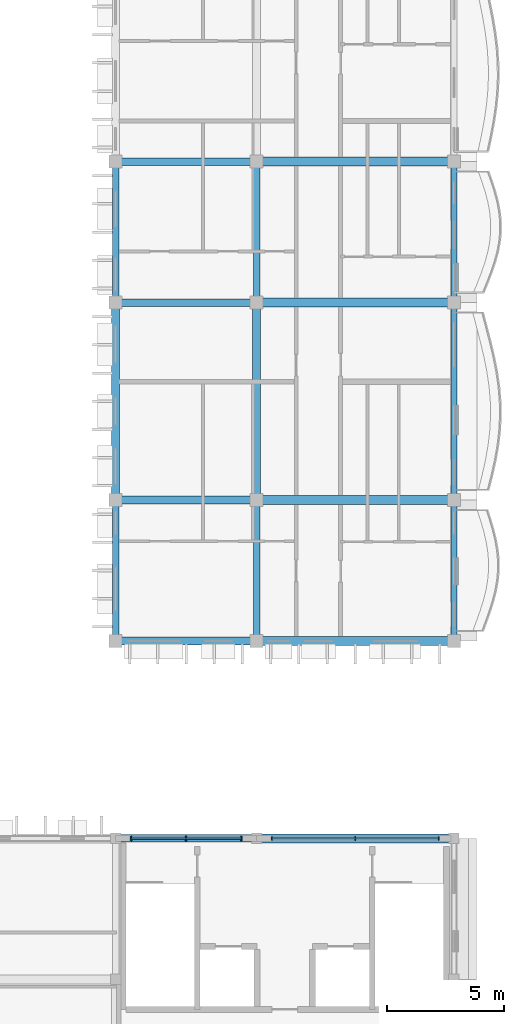
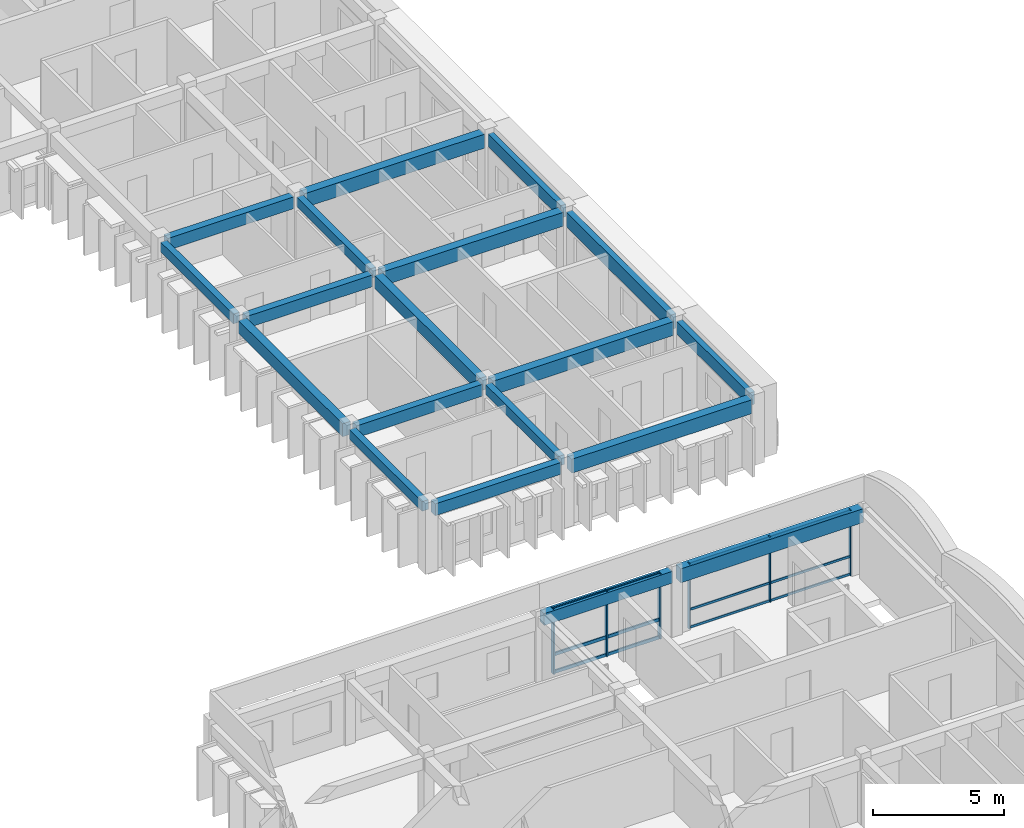
# One storey, part 7 of 59: 19 beams, 12 members, 2 elements without a shape of their own.
"""IFC4 building model written with IfcOpenShell, lengths in metres."""

from ifc_helpers import new_model, si_unit, direction, frame, origin, origin_2d, place, context, subcontext, project, spatial, rectangle, extrude, material, material_profile, profile_set, type_object, element, aggregate, save


model = new_model("IFC4")

# Units and contexts
model_context = context("Model", 3, precision=1e-05, world=origin(), true_north=direction((0.0, 1.0)))
body_context = subcontext(model_context, "Body", "Model", "MODEL_VIEW")
ifc_project = project(units=[si_unit("LENGTHUNIT", "METRE"), si_unit("AREAUNIT", "SQUARE_METRE"), si_unit("VOLUMEUNIT", "CUBIC_METRE"), si_unit("PLANEANGLEUNIT", "RADIAN"), si_unit("MASSUNIT", "GRAM", prefix="KILO"), si_unit("THERMODYNAMICTEMPERATUREUNIT", "KELVIN")], contexts=[model_context])

# Site, building, storey
site_placement = place(None, origin())
site = spatial("IfcSite", under=ifc_project, at=site_placement, CompositionType="ELEMENT")
building_placement = place(site_placement, origin())
building = spatial("IfcBuilding", under=site, at=building_placement, Name="Thalorik Housing Commons", CompositionType="ELEMENT")
storey_placement = place(building_placement, frame((0.0, 0.0, 27.89990234375)))
storey = spatial("IfcBuildingStorey", under=building, at=storey_placement, Name="L08", CompositionType="ELEMENT", Elevation=27.89990234375)

# Curtain wall, members
ifc_material_1 = material(Name="Anodised aluminium and solar-control low-E glass", Category="aluminium")
curtain_wall_type = type_object("IfcCurtainWallType", Name="ARC-CW-CORE", PredefinedType="USERDEFINED", material=ifc_material_1)
curtain_wall_1_placement = place(storey_placement, origin())
curtain_wall_1 = element("IfcCurtainWall", 1, at=curtain_wall_1_placement, inside=storey, type_object=curtain_wall_type, Name="L08 Curtain Wall CW-CORE-L08-D-207", ObjectType="CURTAIN WALL", PredefinedType="USERDEFINED")
ifc_material_2 = material(Name="Anodised aluminium 6063-T6", Category="aluminium")
ifc_material_profile_1 = material_profile(ifc_material_2, rectangle(XDim=0.054931640625, YDim=0.139892578125, at=origin_2d()), Name="ALU MUL 55x140", Category="aluminium")
ifc_profile_set_1 = profile_set([ifc_material_profile_1], Name="Anodised aluminium 6063-T6")
member_type_1 = type_object("IfcMemberType", Name="ARC-CW-MUL-55x140", PredefinedType="MULLION", material=ifc_profile_set_1)
member_1_placement = place(storey_placement, frame((166.14990234375, 72.0, 0.0), z_axis=(0.0, 0.0, 1.0), x_axis=(-1.0, 0.0, 0.0)))
member_1 = element("IfcMember", 2, at=member_1_placement, type_object=member_type_1, Name="CW-CORE-L08-D-207 Mullion 1", PredefinedType="MULLION", context=body_context, shape_type="SweptSolid", body=[
    extrude(rectangle(XDim=0.054931640625, YDim=0.139892578125, at=origin_2d()), origin(), (0.0, 0.0, 1.0), 3.0400390625),
])
member_2_placement = place(storey_placement, frame((162.60009765625, 72.0, 0.0), z_axis=(0.0, 0.0, 1.0), x_axis=(-1.0, 0.0, 0.0)))
member_2 = element("IfcMember", 3, at=member_2_placement, type_object=member_type_1, Name="CW-CORE-L08-D-207 Mullion 2", PredefinedType="MULLION", context=body_context, shape_type="SweptSolid", body=[
    extrude(rectangle(XDim=0.054931640625, YDim=0.139892578125, at=origin_2d()), origin(), (0.0, 0.0, 1.0), 3.0400390625),
])
member_3_placement = place(storey_placement, frame((159.050048828125, 72.0, 0.0), z_axis=(0.0, 0.0, 1.0), x_axis=(-1.0, 0.0, 0.0)))
member_3 = element("IfcMember", 4, at=member_3_placement, type_object=member_type_1, Name="CW-CORE-L08-D-207 Mullion 3", PredefinedType="MULLION", context=body_context, shape_type="SweptSolid", body=[
    extrude(rectangle(XDim=0.054931640625, YDim=0.139892578125, at=origin_2d()), origin(), (0.0, 0.0, 1.0), 3.0400390625),
])

curtain_wall_2_placement = place(storey_placement, origin())
curtain_wall_2 = element("IfcCurtainWall", 5, at=curtain_wall_2_placement, inside=storey, type_object=curtain_wall_type, Name="L08 Curtain Wall CW-CORE-L08-D-208", ObjectType="CURTAIN WALL", PredefinedType="USERDEFINED")
ifc_material_profile_2 = material_profile(ifc_material_2, rectangle(XDim=0.06494140625, YDim=0.179931640625, at=origin_2d()), Name="ALU MUL 65x180", Category="aluminium")
ifc_profile_set_2 = profile_set([ifc_material_profile_2], Name="Anodised aluminium 6063-T6")
member_type_2 = type_object("IfcMemberType", Name="ARC-CW-MUL-65x180", PredefinedType="MULLION", material=ifc_profile_set_2)
member_4_placement = place(storey_placement, frame((157.75, 72.0, 0.0), z_axis=(0.0, 0.0, 1.0), x_axis=(-1.0, 0.0, 0.0)))
member_4 = element("IfcMember", 6, at=member_4_placement, type_object=member_type_2, Name="CW-CORE-L08-D-208 Mullion 1", PredefinedType="MULLION", context=body_context, shape_type="SweptSolid", body=[
    extrude(rectangle(XDim=0.06494140625, YDim=0.179931640625, at=origin_2d()), origin(), (0.0, 0.0, 1.0), 3.0400390625),
])
member_5_placement = place(storey_placement, frame((155.39990234375, 72.0, 0.0), z_axis=(0.0, 0.0, 1.0), x_axis=(-1.0, 0.0, 0.0)))
member_5 = element("IfcMember", 7, at=member_5_placement, type_object=member_type_2, Name="CW-CORE-L08-D-208 Mullion 2", PredefinedType="MULLION", context=body_context, shape_type="SweptSolid", body=[
    extrude(rectangle(XDim=0.06494140625, YDim=0.179931640625, at=origin_2d()), origin(), (0.0, 0.0, 1.0), 3.0400390625),
])
member_6_placement = place(storey_placement, frame((153.050048828125, 72.0, 0.0), z_axis=(0.0, 0.0, 1.0), x_axis=(-1.0, 0.0, 0.0)))
member_6 = element("IfcMember", 8, at=member_6_placement, type_object=member_type_2, Name="CW-CORE-L08-D-208 Mullion 3", PredefinedType="MULLION", context=body_context, shape_type="SweptSolid", body=[
    extrude(rectangle(XDim=0.06494140625, YDim=0.179931640625, at=origin_2d()), origin(), (0.0, 0.0, 1.0), 3.0400390625),
])

# Member
ifc_material_profile_3 = material_profile(ifc_material_2, rectangle(XDim=0.054931640625, YDim=0.10498046875, at=origin_2d()), Name="ALU TRN 55x105", Category="aluminium")
ifc_profile_set_3 = profile_set([ifc_material_profile_3], Name="Anodised aluminium 6063-T6")
member_type_3 = type_object("IfcMemberType", Name="ARC-CW-TRN-55x105", PredefinedType="USERDEFINED", material=ifc_profile_set_3)
member_7_placement = place(storey_placement, frame((166.14990234375, 72.0, 0.05517578125), z_axis=(-1.0, 0.0, 0.0), x_axis=(0.0, -1.0, 0.0)))
member_7 = element("IfcMember", 9, at=member_7_placement, type_object=member_type_3, Name="CW-CORE-L08-D-207 Transom 1", ObjectType="TRANSOM", PredefinedType="USERDEFINED", context=body_context, shape_type="SweptSolid", body=[
    extrude(rectangle(XDim=0.054931640625, YDim=0.10498046875, at=origin_2d()), origin(), (0.0, 0.0, 1.0), 7.099853515625),
])

member_8_placement = place(storey_placement, frame((166.14990234375, 72.0, 0.880126953125), z_axis=(-1.0, 0.0, 0.0), x_axis=(0.0, -1.0, 0.0)))
member_8 = element("IfcMember", 10, at=member_8_placement, type_object=member_type_3, Name="CW-CORE-L08-D-207 Transom 2", ObjectType="TRANSOM", PredefinedType="USERDEFINED", context=body_context, shape_type="SweptSolid", body=[
    extrude(rectangle(XDim=0.054931640625, YDim=0.10498046875, at=origin_2d()), origin(), (0.0, 0.0, 1.0), 7.099853515625),
])

member_9_placement = place(storey_placement, frame((166.14990234375, 72.0, 2.985107421875), z_axis=(-1.0, 0.0, 0.0), x_axis=(0.0, -1.0, 0.0)))
member_9 = element("IfcMember", 11, at=member_9_placement, type_object=member_type_3, Name="CW-CORE-L08-D-207 Transom 3", ObjectType="TRANSOM", PredefinedType="USERDEFINED", context=body_context, shape_type="SweptSolid", body=[
    extrude(rectangle(XDim=0.054931640625, YDim=0.10498046875, at=origin_2d()), origin(), (0.0, 0.0, 1.0), 7.099853515625),
])

aggregate(curtain_wall_1, [member_1, member_2, member_3, member_7, member_8, member_9])

ifc_material_profile_4 = material_profile(ifc_material_2, rectangle(XDim=0.06494140625, YDim=0.14990234375, at=origin_2d()), Name="ALU TRN 65x150", Category="aluminium")
ifc_profile_set_4 = profile_set([ifc_material_profile_4], Name="Anodised aluminium 6063-T6")
member_type_4 = type_object("IfcMemberType", Name="ARC-CW-TRN-65x150", PredefinedType="USERDEFINED", material=ifc_profile_set_4)
member_10_placement = place(storey_placement, frame((157.75, 72.0, 0.05517578125), z_axis=(-1.0, 0.0, 0.0), x_axis=(0.0, -1.0, 0.0)))
member_10 = element("IfcMember", 12, at=member_10_placement, type_object=member_type_4, Name="CW-CORE-L08-D-208 Transom 1", ObjectType="TRANSOM", PredefinedType="USERDEFINED", context=body_context, shape_type="SweptSolid", body=[
    extrude(rectangle(XDim=0.06494140625, YDim=0.14990234375, at=origin_2d()), origin(), (0.0, 0.0, 1.0), 4.699951171875),
])

member_11_placement = place(storey_placement, frame((157.75, 72.0, 0.880126953125), z_axis=(-1.0, 0.0, 0.0), x_axis=(0.0, -1.0, 0.0)))
member_11 = element("IfcMember", 13, at=member_11_placement, type_object=member_type_4, Name="CW-CORE-L08-D-208 Transom 2", ObjectType="TRANSOM", PredefinedType="USERDEFINED", context=body_context, shape_type="SweptSolid", body=[
    extrude(rectangle(XDim=0.06494140625, YDim=0.14990234375, at=origin_2d()), origin(), (0.0, 0.0, 1.0), 4.699951171875),
])

member_12_placement = place(storey_placement, frame((157.75, 72.0, 2.985107421875), z_axis=(-1.0, 0.0, 0.0), x_axis=(0.0, -1.0, 0.0)))
member_12 = element("IfcMember", 14, at=member_12_placement, type_object=member_type_4, Name="CW-CORE-L08-D-208 Transom 3", ObjectType="TRANSOM", PredefinedType="USERDEFINED", context=body_context, shape_type="SweptSolid", body=[
    extrude(rectangle(XDim=0.06494140625, YDim=0.14990234375, at=origin_2d()), origin(), (0.0, 0.0, 1.0), 4.699951171875),
])

aggregate(curtain_wall_2, [member_4, member_5, member_6, member_10, member_11, member_12])

# Beams
ifc_material_3 = material(Name="Precast concrete C40/50", Category="concrete")
ifc_material_profile_5 = material_profile(ifc_material_3, rectangle(XDim=0.280029296875, YDim=0.449951171875, at=origin_2d()), Name="PC 280x450", Category="concrete")
ifc_profile_set_5 = profile_set([ifc_material_profile_5], Name="Precast concrete C40/50")
beam_type_1 = type_object("IfcBeamType", Name="STR-BM-PC280x450", PredefinedType="BEAM", material=ifc_profile_set_5)
for number, where, z_axis, x_axis, name in (
    (15, (152.39990234375, 80.625, 2.815185546875), (0.0, 1.0, 0.0), (-1.0, 0.0, 0.0), "L08 Beam B-450"),
    (16, (152.39990234375, 95.02490234375, 2.815185546875), (0.0, 1.0, 0.0), (-1.0, 0.0, 0.0), "L08 Beam B-450"),
    (17, (158.39990234375, 80.625, 2.815185546875), (0.0, 1.0, 0.0), (-1.0, 0.0, 0.0), "L08 Beam B-450"),
    (18, (158.39990234375, 95.02490234375, 2.815185546875), (0.0, 1.0, 0.0), (-1.0, 0.0, 0.0), "L08 Beam B-450"),
):
    element("IfcBeam", number, at=place(storey_placement, frame(where, z_axis=z_axis, x_axis=x_axis)), inside=storey, type_object=beam_type_1, Name=name, PredefinedType="BEAM", context=body_context, shape_type="SweptSolid", body=[
        extrude(rectangle(XDim=0.280029296875, YDim=0.449951171875, at=origin_2d()), origin(), (0.0, 0.0, 1.0), 5.550048828125),
    ])
ifc_material_profile_6 = material_profile(ifc_material_3, rectangle(XDim=0.320068359375, YDim=0.550048828125, at=origin_2d()), Name="PC 320x550", Category="concrete")
ifc_profile_set_6 = profile_set([ifc_material_profile_6], Name="Precast concrete C40/50")
beam_type_2 = type_object("IfcBeamType", Name="STR-BM-PC320x550", PredefinedType="BEAM", material=ifc_profile_set_6)
beam_1_placement = place(storey_placement, frame((152.574951171875, 72.0, 2.76513671875), z_axis=(1.0, 0.0, 0.0), x_axis=(0.0, 1.0, 0.0)))
element("IfcBeam", 19, at=beam_1_placement, inside=storey, type_object=beam_type_2, Name="L08 Beam B-550", PredefinedType="BEAM", context=body_context, shape_type="SweptSolid", body=[
    extrude(rectangle(XDim=0.320068359375, YDim=0.550048828125, at=origin_2d()), origin(), (0.0, 0.0, 1.0), 5.650146484375),
])
for number, where, z_axis, x_axis, name in (
    (20, (152.625, 80.39990234375, 2.76513671875), (1.0, 0.0, 0.0), (0.0, 1.0, 0.0), "L08 Beam B-550"),
    (21, (152.625, 86.39990234375, 2.76513671875), (1.0, 0.0, 0.0), (0.0, 1.0, 0.0), "L08 Beam B-550"),
    (22, (152.625, 94.800048828125, 2.76513671875), (1.0, 0.0, 0.0), (0.0, 1.0, 0.0), "L08 Beam B-550"),
    (23, (152.625, 100.800048828125, 2.76513671875), (1.0, 0.0, 0.0), (0.0, 1.0, 0.0), "L08 Beam B-550"),
):
    element("IfcBeam", number, at=place(storey_placement, frame(where, z_axis=z_axis, x_axis=x_axis)), inside=storey, type_object=beam_type_2, Name=name, PredefinedType="BEAM", context=body_context, shape_type="SweptSolid", body=[
        extrude(rectangle(XDim=0.320068359375, YDim=0.550048828125, at=origin_2d()), origin(), (0.0, 0.0, 1.0), 5.550048828125),
    ])
ifc_material_profile_7 = material_profile(ifc_material_3, rectangle(XDim=0.35009765625, YDim=0.60009765625, at=origin_2d()), Name="PC 350x600", Category="concrete")
ifc_profile_set_7 = profile_set([ifc_material_profile_7], Name="Precast concrete C40/50")
beam_type_3 = type_object("IfcBeamType", Name="STR-BM-PC350x600", PredefinedType="BEAM", material=ifc_profile_set_7)
for number, where, z_axis, x_axis, name in (
    (24, (152.39990234375, 86.625, 2.739990234375), (0.0, 1.0, 0.0), (-1.0, 0.0, 0.0), "L08 Beam B-600"),
    (25, (158.39990234375, 86.625, 2.739990234375), (0.0, 1.0, 0.0), (-1.0, 0.0, 0.0), "L08 Beam B-600"),
):
    element("IfcBeam", number, at=place(storey_placement, frame(where, z_axis=z_axis, x_axis=x_axis)), inside=storey, type_object=beam_type_3, Name=name, PredefinedType="BEAM", context=body_context, shape_type="SweptSolid", body=[
        extrude(rectangle(XDim=0.35009765625, YDim=0.60009765625, at=origin_2d()), origin(), (0.0, 0.0, 1.0), 7.949951171875),
    ])
ifc_material_profile_8 = material_profile(ifc_material_3, rectangle(XDim=0.3798828125, YDim=0.64990234375, at=origin_2d()), Name="PC 380x650", Category="concrete")
ifc_profile_set_8 = profile_set([ifc_material_profile_8], Name="Precast concrete C40/50")
beam_type_4 = type_object("IfcBeamType", Name="STR-BM-PC380x650", PredefinedType="BEAM", material=ifc_profile_set_8)
beam_2_placement = place(storey_placement, frame((158.574951171875, 72.0, 2.715087890625), z_axis=(1.0, 0.0, 0.0), x_axis=(0.0, 1.0, 0.0)))
element("IfcBeam", 26, at=beam_2_placement, inside=storey, type_object=beam_type_4, Name="L08 Beam B-650", PredefinedType="BEAM", context=body_context, shape_type="SweptSolid", body=[
    extrude(rectangle(XDim=0.3798828125, YDim=0.64990234375, at=origin_2d()), origin(), (0.0, 0.0, 1.0), 8.050048828125),
])
for number, where, z_axis, x_axis, name in (
    (27, (158.625, 80.39990234375, 2.715087890625), (1.0, 0.0, 0.0), (0.0, 1.0, 0.0), "L08 Beam B-650"),
    (28, (158.625, 86.39990234375, 2.715087890625), (1.0, 0.0, 0.0), (0.0, 1.0, 0.0), "L08 Beam B-650"),
    (29, (158.625, 94.800048828125, 2.715087890625), (1.0, 0.0, 0.0), (0.0, 1.0, 0.0), "L08 Beam B-650"),
    (30, (158.625, 100.800048828125, 2.715087890625), (1.0, 0.0, 0.0), (0.0, 1.0, 0.0), "L08 Beam B-650"),
):
    element("IfcBeam", number, at=place(storey_placement, frame(where, z_axis=z_axis, x_axis=x_axis)), inside=storey, type_object=beam_type_4, Name=name, PredefinedType="BEAM", context=body_context, shape_type="SweptSolid", body=[
        extrude(rectangle(XDim=0.3798828125, YDim=0.64990234375, at=origin_2d()), origin(), (0.0, 0.0, 1.0), 7.949951171875),
    ])
ifc_material_profile_9 = material_profile(ifc_material_3, rectangle(XDim=0.239990234375, YDim=0.580078125, at=origin_2d()), Name="PC SP 240x580", Category="concrete")
ifc_profile_set_9 = profile_set([ifc_material_profile_9], Name="Precast concrete C40/50")
beam_type_5 = type_object("IfcBeamType", Name="STR-SP-PC240x580", PredefinedType="SPANDREL", material=ifc_profile_set_9)
for number, where, z_axis, x_axis, name in (
    (31, (166.800048828125, 80.625, 2.75), (0.0, 1.0, 0.0), (-1.0, 0.0, 0.0), "L08 Beam B-450"),
    (32, (166.800048828125, 95.02490234375, 2.75), (0.0, 1.0, 0.0), (-1.0, 0.0, 0.0), "L08 Beam B-450"),
):
    element("IfcBeam", number, at=place(storey_placement, frame(where, z_axis=z_axis, x_axis=x_axis)), inside=storey, type_object=beam_type_5, Name=name, PredefinedType="SPANDREL", context=body_context, shape_type="SweptSolid", body=[
        extrude(rectangle(XDim=0.239990234375, YDim=0.580078125, at=origin_2d()), origin(), (0.0, 0.0, 1.0), 5.550048828125),
    ])
ifc_material_profile_10 = material_profile(ifc_material_3, rectangle(XDim=0.260009765625, YDim=0.679931640625, at=origin_2d()), Name="PC SP 260x680", Category="concrete")
ifc_profile_set_10 = profile_set([ifc_material_profile_10], Name="Precast concrete C40/50")
beam_type_6 = type_object("IfcBeamType", Name="STR-SP-PC260x680", PredefinedType="SPANDREL", material=ifc_profile_set_10)
beam_3_placement = place(storey_placement, frame((166.800048828125, 86.625, 2.7001953125), z_axis=(0.0, 1.0, 0.0), x_axis=(-1.0, 0.0, 0.0)))
element("IfcBeam", 33, at=beam_3_placement, inside=storey, type_object=beam_type_6, Name="L08 Beam B-600", PredefinedType="SPANDREL", context=body_context, shape_type="SweptSolid", body=[
    extrude(rectangle(XDim=0.260009765625, YDim=0.679931640625, at=origin_2d()), origin(), (0.0, 0.0, 1.0), 7.949951171875),
])

save(model, "model.ifc")
